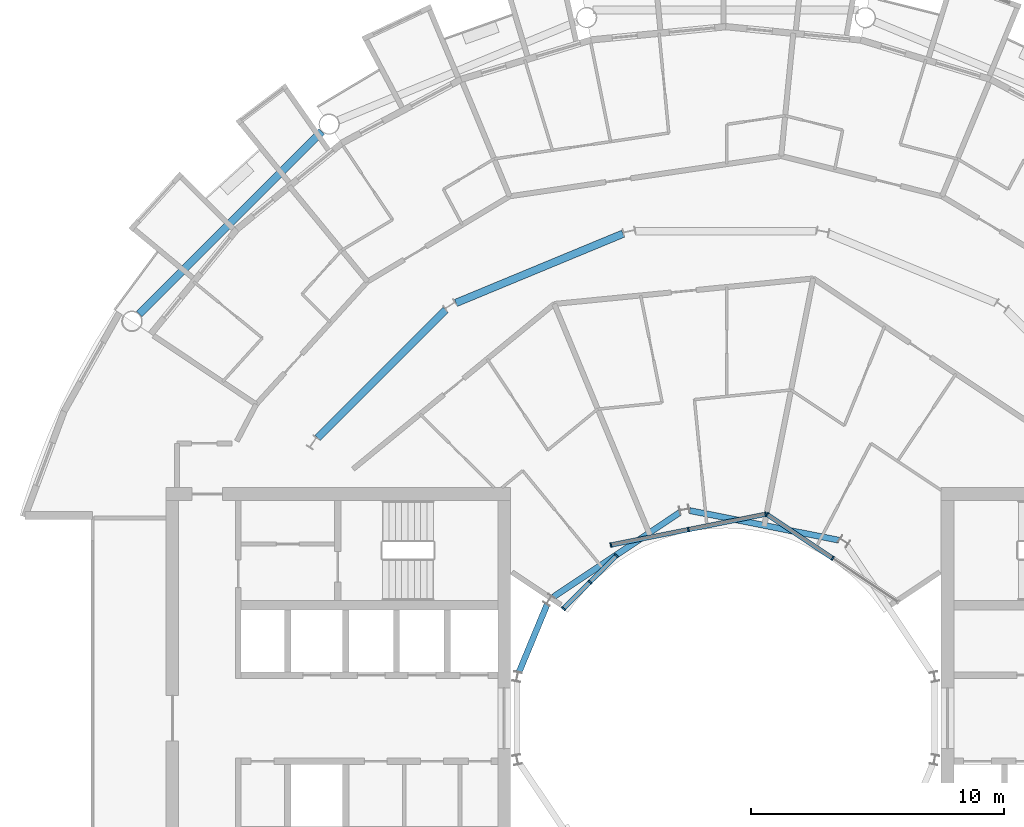
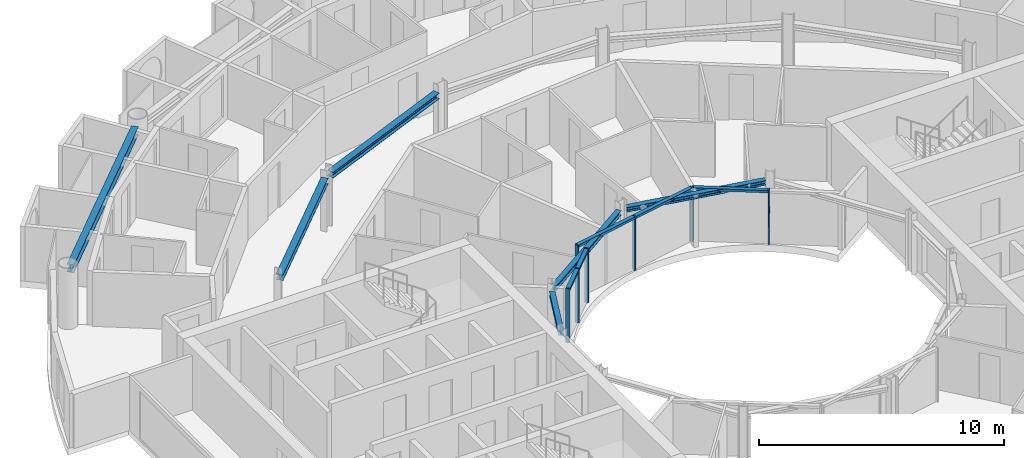
# One storey, part 8 of 27: 13 members, 6 beams, 3 elements without a shape of their own.
"""IFC4 building model written with IfcOpenShell, lengths in metres."""

from ifc_helpers import new_model, si_unit, direction, frame, origin, origin_2d, place, context, subcontext, project, spatial, rectangle, i_section, extrude, material, layer, layer_set, material_profile, profile_set, type_object, element, aggregate, save


model = new_model("IFC4")

# Units and contexts
model_context = context("Model", 3, precision=1e-05, world=origin(), true_north=direction((0.0, 1.0)))
body_context = subcontext(model_context, "Body", "Model", "MODEL_VIEW")
ifc_project = project(units=[si_unit("LENGTHUNIT", "METRE"), si_unit("AREAUNIT", "SQUARE_METRE"), si_unit("VOLUMEUNIT", "CUBIC_METRE"), si_unit("PLANEANGLEUNIT", "RADIAN"), si_unit("MASSUNIT", "GRAM", prefix="KILO")], contexts=[model_context])

# Site, building, storey
site_placement = place(None, origin())
site = spatial("IfcSite", under=ifc_project, at=site_placement, CompositionType="ELEMENT")
building_placement = place(site_placement, origin())
building = spatial("IfcBuilding", under=site, at=building_placement, Name="Maasbend Ring Residences", CompositionType="ELEMENT")
storey_placement = place(building_placement, frame((0.0, 0.0, 148.25)))
storey = spatial("IfcBuildingStorey", under=building, at=storey_placement, Name="L42", CompositionType="ELEMENT", Elevation=148.25)

# Curtain wall, members
ifc_material_1 = material(Name="Aluminium and clear glass", Category="aluminium")
ifc_layer = layer(ifc_material_1, 0.179931640625)
ifc_layer_set = layer_set([ifc_layer], Name="CW-W")
curtain_wall_type = type_object("IfcCurtainWallType", Name="CW-W", PredefinedType="NOTDEFINED", material=ifc_layer_set)
curtain_wall_1_placement = place(storey_placement, origin())
curtain_wall_1 = element("IfcCurtainWall", 1, at=curtain_wall_1_placement, inside=storey, type_object=curtain_wall_type, Name="Well curtain wall N1", PredefinedType="NOTDEFINED")
ifc_material_2 = material(Name="Aluminium 6063-T6", Category="aluminium")
ifc_material_profile_1 = material_profile(ifc_material_2, rectangle(XDim=0.179931640625, YDim=0.06005859375, at=origin_2d()), Name="AL 180x60")
ifc_profile_set_1 = profile_set([ifc_material_profile_1], Name="Aluminium 6063-T6")
member_type_1 = type_object("IfcMemberType", Name="CWM-W", PredefinedType="MULLION", material=ifc_profile_set_1)
member_1_placement = place(storey_placement, frame((4.216796875, 6.310791015625, 0.0), z_axis=(0.0, 0.0, 1.0), x_axis=(-0.55557023302, -0.831469612303, 0.0)))
member_1 = element("IfcMember", 2, at=member_1_placement, type_object=member_type_1, Name="Mullion well face", PredefinedType="MULLION", context=body_context, shape_type="SweptSolid", body=[
    extrude(rectangle(XDim=0.179931640625, YDim=0.06005859375, at=origin_2d()), origin(), (0.0, 0.0, 1.0), 2.699951171875),
])
member_2_placement = place(storey_placement, frame((1.627685546875, 8.040771484375, 0.0), z_axis=(0.0, 0.0, 1.0), x_axis=(-0.55557023302, -0.831469612303, 0.0)))
member_2 = element("IfcMember", 3, at=member_2_placement, type_object=member_type_1, Name="Mullion well face", PredefinedType="MULLION", context=body_context, shape_type="SweptSolid", body=[
    extrude(rectangle(XDim=0.179931640625, YDim=0.06005859375, at=origin_2d()), origin(), (0.0, 0.0, 1.0), 2.699951171875),
])

curtain_wall_2_placement = place(storey_placement, origin())
curtain_wall_2 = element("IfcCurtainWall", 4, at=curtain_wall_2_placement, inside=storey, type_object=curtain_wall_type, Name="Well curtain wall N2", PredefinedType="NOTDEFINED")
member_3_placement = place(storey_placement, frame((1.5732421875, 8.0517578125, 0.0), z_axis=(0.0, 0.0, 1.0), x_axis=(0.195090322016, -0.980785280403, 0.0)))
member_3 = element("IfcMember", 5, at=member_3_placement, type_object=member_type_1, Name="Mullion well face", PredefinedType="MULLION", context=body_context, shape_type="SweptSolid", body=[
    extrude(rectangle(XDim=0.179931640625, YDim=0.06005859375, at=origin_2d()), origin(), (0.0, 0.0, 1.0), 2.699951171875),
])
member_4_placement = place(storey_placement, frame((-1.480712890625, 7.444091796875, 0.0), z_axis=(0.0, 0.0, 1.0), x_axis=(0.195090322016, -0.980785280403, 0.0)))
member_4 = element("IfcMember", 6, at=member_4_placement, type_object=member_type_1, Name="Mullion well face", PredefinedType="MULLION", context=body_context, shape_type="SweptSolid", body=[
    extrude(rectangle(XDim=0.179931640625, YDim=0.06005859375, at=origin_2d()), origin(), (0.0, 0.0, 1.0), 2.699951171875),
])
member_5_placement = place(storey_placement, frame((-4.53466796875, 6.836669921875, 0.0), z_axis=(0.0, 0.0, 1.0), x_axis=(0.195090322016, -0.980785280403, 0.0)))
member_5 = element("IfcMember", 7, at=member_5_placement, type_object=member_type_1, Name="Mullion well face", PredefinedType="MULLION", context=body_context, shape_type="SweptSolid", body=[
    extrude(rectangle(XDim=0.179931640625, YDim=0.06005859375, at=origin_2d()), origin(), (0.0, 0.0, 1.0), 2.699951171875),
])

curtain_wall_3_placement = place(storey_placement, origin())
curtain_wall_3 = element("IfcCurtainWall", 8, at=curtain_wall_3_placement, inside=storey, type_object=curtain_wall_type, Name="Well curtain wall N3", PredefinedType="NOTDEFINED")
member_6_placement = place(storey_placement, frame((-4.320556640625, 6.413330078125, 0.0), z_axis=(0.0, 0.0, 1.0), x_axis=(0.707106781187, -0.707106781187, 0.0)))
member_6 = element("IfcMember", 9, at=member_6_placement, type_object=member_type_1, Name="Mullion well face", PredefinedType="MULLION", context=body_context, shape_type="SweptSolid", body=[
    extrude(rectangle(XDim=0.179931640625, YDim=0.06005859375, at=origin_2d()), origin(), (0.0, 0.0, 1.0), 2.699951171875),
])
member_7_placement = place(storey_placement, frame((-5.366943359375, 5.366943359375, 0.0), z_axis=(0.0, 0.0, 1.0), x_axis=(0.707106781187, -0.707106781187, 0.0)))
member_7 = element("IfcMember", 10, at=member_7_placement, type_object=member_type_1, Name="Mullion well face", PredefinedType="MULLION", context=body_context, shape_type="SweptSolid", body=[
    extrude(rectangle(XDim=0.179931640625, YDim=0.06005859375, at=origin_2d()), origin(), (0.0, 0.0, 1.0), 2.699951171875),
])
member_8_placement = place(storey_placement, frame((-6.413330078125, 4.320556640625, 0.0), z_axis=(0.0, 0.0, 1.0), x_axis=(0.707106781187, -0.707106781187, 0.0)))
member_8 = element("IfcMember", 11, at=member_8_placement, type_object=member_type_1, Name="Mullion well face", PredefinedType="MULLION", context=body_context, shape_type="SweptSolid", body=[
    extrude(rectangle(XDim=0.179931640625, YDim=0.06005859375, at=origin_2d()), origin(), (0.0, 0.0, 1.0), 2.699951171875),
])

# Member
ifc_material_3 = material(Name="Aluminium 6063-T6", Category="aluminium")
ifc_material_profile_2 = material_profile(ifc_material_3, rectangle(XDim=0.179931640625, YDim=0.1201171875, at=origin_2d()), Name="AL 180x120")
ifc_profile_set_2 = profile_set([ifc_material_profile_2], Name="Aluminium 6063-T6")
member_type_2 = type_object("IfcMemberType", Name="CWT-W", PredefinedType="USERDEFINED", material=ifc_profile_set_2)
member_9_placement = place(storey_placement, frame((4.19189453125, 6.32763671875, 2.639892578125), z_axis=(-0.831496422459, 0.555530106689, 0.0), x_axis=(-0.555530106689, -0.831496422459, 0.0)))
member_9 = element("IfcMember", 12, at=member_9_placement, type_object=member_type_2, Name="Transom well face", ObjectType="TRANSOM", PredefinedType="USERDEFINED", context=body_context, shape_type="SweptSolid", body=[
    extrude(rectangle(XDim=0.179931640625, YDim=0.1201171875, at=origin_2d()), origin(), (0.0, 0.0, 1.0), 3.053955078125),
])

aggregate(curtain_wall_1, [member_1, member_2, member_9])

member_10_placement = place(storey_placement, frame((1.5439453125, 8.0458984375, 2.639892578125), z_axis=(-0.980776956105, -0.195132166424, 0.0), x_axis=(0.195132166424, -0.980776956105, 0.0)))
member_10 = element("IfcMember", 13, at=member_10_placement, type_object=member_type_2, Name="Transom well face", ObjectType="TRANSOM", PredefinedType="USERDEFINED", context=body_context, shape_type="SweptSolid", body=[
    extrude(rectangle(XDim=0.179931640625, YDim=0.1201171875, at=origin_2d()), origin(), (0.0, 0.0, 1.0), 3.053955078125),
])

member_11_placement = place(storey_placement, frame((-1.51025390625, 7.438232421875, 2.639892578125), z_axis=(-0.980789210404, -0.19507056353, 0.0), x_axis=(0.19507056353, -0.980789210404, 0.0)))
member_11 = element("IfcMember", 14, at=member_11_placement, type_object=member_type_2, Name="Transom well face", ObjectType="TRANSOM", PredefinedType="USERDEFINED", context=body_context, shape_type="SweptSolid", body=[
    extrude(rectangle(XDim=0.179931640625, YDim=0.1201171875, at=origin_2d()), origin(), (0.0, 0.0, 1.0), 3.0537109375),
])

aggregate(curtain_wall_2, [member_3, member_4, member_5, member_10, member_11])

member_12_placement = place(storey_placement, frame((-4.341796875, 6.39208984375, 2.639892578125), z_axis=(-0.707106781187, -0.707106781187, 0.0), x_axis=(0.707106781187, -0.707106781187, 0.0)))
member_12 = element("IfcMember", 15, at=member_12_placement, type_object=member_type_2, Name="Transom well face", ObjectType="TRANSOM", PredefinedType="USERDEFINED", context=body_context, shape_type="SweptSolid", body=[
    extrude(rectangle(XDim=0.179931640625, YDim=0.1201171875, at=origin_2d()), origin(), (0.0, 0.0, 1.0), 1.419677734375),
])

member_13_placement = place(storey_placement, frame((-5.38818359375, 5.345703125, 2.639892578125), z_axis=(-0.707106781187, -0.707106781187, 0.0), x_axis=(0.707106781187, -0.707106781187, 0.0)))
member_13 = element("IfcMember", 16, at=member_13_placement, type_object=member_type_2, Name="Transom well face", ObjectType="TRANSOM", PredefinedType="USERDEFINED", context=body_context, shape_type="SweptSolid", body=[
    extrude(rectangle(XDim=0.179931640625, YDim=0.1201171875, at=origin_2d()), origin(), (0.0, 0.0, 1.0), 1.419677734375),
])

aggregate(curtain_wall_3, [member_6, member_7, member_8, member_12, member_13])

# Beams
ifc_material_4 = material(Name="Steel S355J2", Category="steel")
ifc_material_profile_3 = material_profile(ifc_material_4, i_section(OverallWidth=0.300048828125, OverallDepth=0.2900390625, WebThickness=0.008544921875, FlangeThickness=0.013916015625, FilletRadius=0.027099609375, at=origin_2d()), Name="HEA 300")
ifc_profile_set_3 = profile_set([ifc_material_profile_3], Name="Steel S355J2")
beam_type_1 = type_object("IfcBeamType", Name="Corridor ring beam HEA 300", PredefinedType="BEAM", material=ifc_profile_set_3)
for number, where, z_axis, x_axis, name in (
    (17, (-4.059326171875, 19.1259765625, 2.554931640625), (-0.923871339849, -0.382703210602, 0.0), (0.382703210602, -0.923871339849, 0.0), "Corridor ring beam"),
    (18, (-11.0693359375, 16.11669921875, 2.554931640625), (-0.707106781187, -0.707106781187, 0.0), (0.707106781187, -0.707106781187, 0.0), "Corridor ring beam"),
):
    element("IfcBeam", number, at=place(storey_placement, frame(where, z_axis=z_axis, x_axis=x_axis)), inside=storey, type_object=beam_type_1, Name=name, PredefinedType="BEAM", context=body_context, shape_type="SweptSolid", body=[
        extrude(i_section(OverallWidth=0.300048828125, OverallDepth=0.2900390625, WebThickness=0.008544921875, FlangeThickness=0.013916015625, FilletRadius=0.027099609375, at=origin_2d()), origin(), (0.0, 0.0, 1.0), 7.137939453125),
    ])
ifc_material_5 = material(Name="Steel S355J2", Category="steel")
ifc_material_profile_4 = material_profile(ifc_material_5, i_section(OverallWidth=0.300048828125, OverallDepth=0.39990234375, WebThickness=0.013427734375, FlangeThickness=0.02392578125, FilletRadius=0.027099609375, at=origin_2d()), Name="HEB 400")
ifc_profile_set_4 = profile_set([ifc_material_profile_4], Name="Steel S355J2")
beam_type_2 = type_object("IfcBeamType", Name="Spandrel ring beam HEB 400", PredefinedType="SPANDREL", material=ifc_profile_set_4)
beam_1_placement = place(storey_placement, frame((-15.95458984375, 23.159912109375, 2.5), z_axis=(-0.707106781187, -0.707106781187, 0.0), x_axis=(0.707106781187, -0.707106781187, 0.0)))
element("IfcBeam", 19, at=beam_1_placement, inside=storey, type_object=beam_type_2, Name="Spandrel ring beam", PredefinedType="SPANDREL", context=body_context, shape_type="SweptSolid", body=[
    extrude(i_section(OverallWidth=0.300048828125, OverallDepth=0.39990234375, WebThickness=0.013427734375, FlangeThickness=0.02392578125, FilletRadius=0.027099609375, at=origin_2d()), origin(), (0.0, 0.0, 1.0), 10.18994140625),
])
ifc_material_6 = material(Name="Steel S355J2", Category="steel")
ifc_material_profile_5 = material_profile(ifc_material_6, i_section(OverallWidth=0.239990234375, OverallDepth=0.22998046875, WebThickness=0.007568359375, FlangeThickness=0.011962890625, FilletRadius=0.02099609375, at=origin_2d()), Name="HEA 240")
ifc_profile_set_5 = profile_set([ifc_material_profile_5], Name="Steel S355J2")
beam_type_3 = type_object("IfcBeamType", Name="Well edge beam HEA 240", PredefinedType="BEAM", material=ifc_profile_set_5)
beam_2_placement = place(storey_placement, frame((4.459716796875, 7.025390625, 2.5849609375), z_axis=(-0.980778695042, 0.195123425945, 0.0), x_axis=(-0.195123425945, -0.980778695042, 0.0)))
element("IfcBeam", 20, at=beam_2_placement, inside=storey, type_object=beam_type_3, Name="Well edge beam", PredefinedType="BEAM", context=body_context, shape_type="SweptSolid", body=[
    extrude(i_section(OverallWidth=0.239990234375, OverallDepth=0.22998046875, WebThickness=0.007568359375, FlangeThickness=0.011962890625, FilletRadius=0.02099609375, at=origin_2d()), origin(), (0.0, 0.0, 1.0), 6.007080078125),
])
beam_3_placement = place(storey_placement, frame((-1.814208984375, 8.121337890625, 2.5849609375), z_axis=(-0.831480850227, -0.555553413909, 0.0), x_axis=(0.555553413909, -0.831480850227, 0.0)))
element("IfcBeam", 21, at=beam_3_placement, inside=storey, type_object=beam_type_3, Name="Well edge beam", PredefinedType="BEAM", context=body_context, shape_type="SweptSolid", body=[
    extrude(i_section(OverallWidth=0.239990234375, OverallDepth=0.22998046875, WebThickness=0.007568359375, FlangeThickness=0.011962890625, FilletRadius=0.02099609375, at=origin_2d()), origin(), (0.0, 0.0, 1.0), 6.0068359375),
])
beam_4_placement = place(storey_placement, frame((-7.060302734375, 4.483154296875, 2.5849609375), z_axis=(-0.382748596828, -0.923852537814, 0.0), x_axis=(0.923852537814, -0.382748596828, 0.0)))
element("IfcBeam", 22, at=beam_4_placement, inside=storey, type_object=beam_type_3, Name="Well edge beam", PredefinedType="BEAM", context=body_context, shape_type="SweptSolid", body=[
    extrude(i_section(OverallWidth=0.239990234375, OverallDepth=0.22998046875, WebThickness=0.007568359375, FlangeThickness=0.011962890625, FilletRadius=0.02099609375, at=origin_2d()), origin(), (0.0, 0.0, 1.0), 2.8798828125),
])

save(model, "model.ifc")
